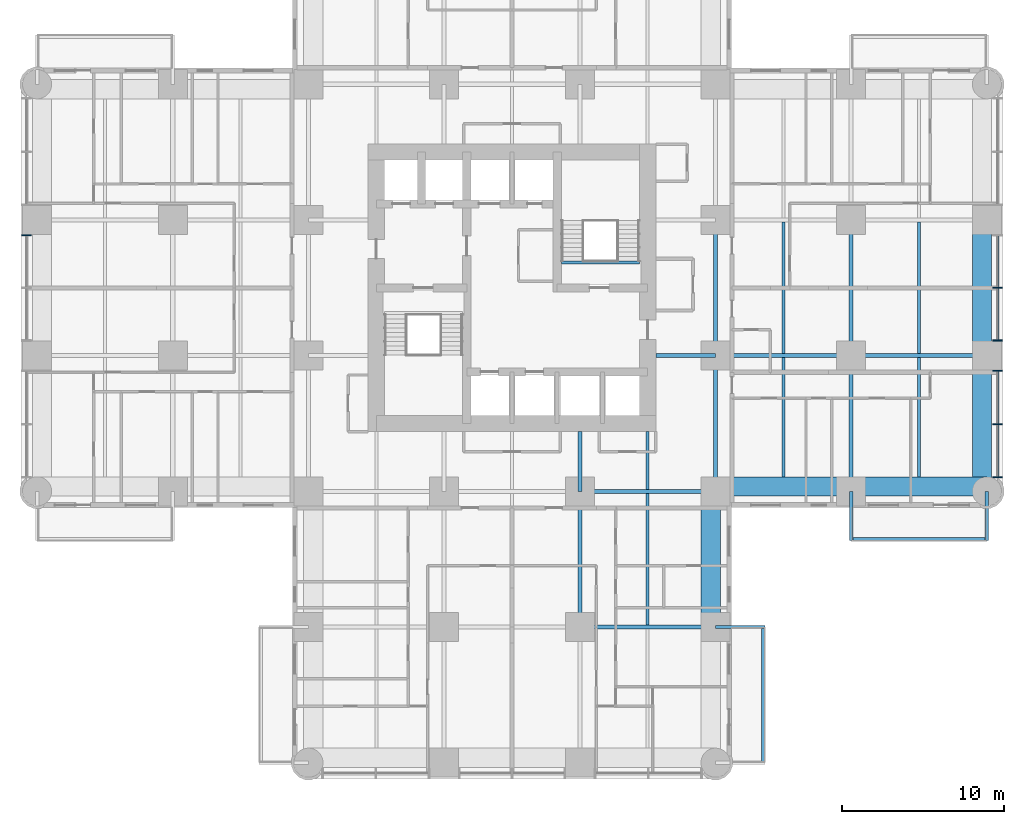
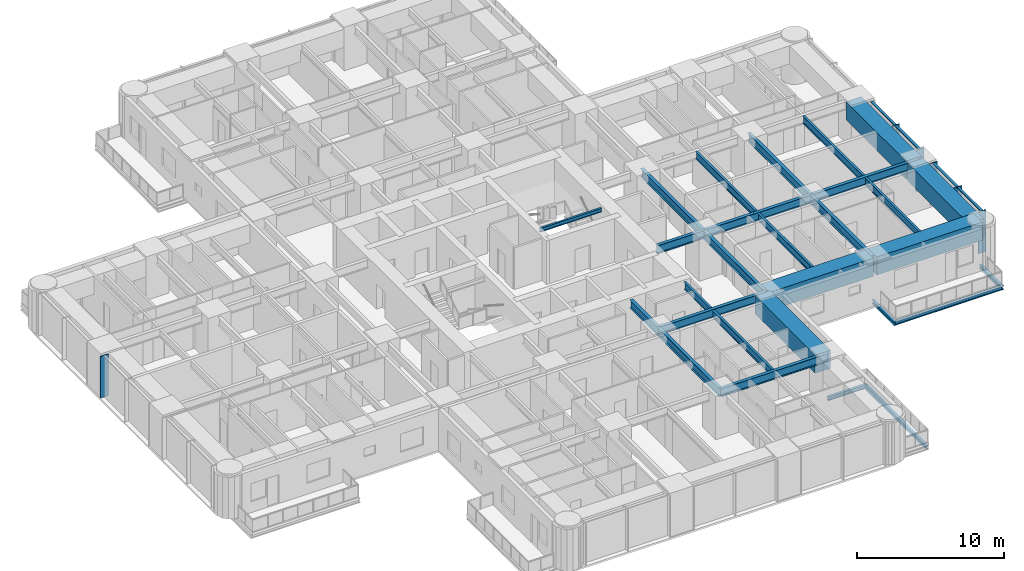
# One storey, part 3 of 17: 28 beams, 10 members, 2 elements without a shape of their own.
"""IFC4 building model written with IfcOpenShell, lengths in metres."""

from ifc_helpers import new_model, si_unit, direction, frame, origin, origin_2d, place, context, subcontext, project, spatial, rectangle, i_section, extrude, material, material_profile, profile_set, type_object, element, aggregate, save


model = new_model("IFC4")

# Units and contexts
model_context = context("Model", 3, precision=1e-05, world=origin(), true_north=direction((0.0, 1.0)))
body_context = subcontext(model_context, "Body", "Model", "MODEL_VIEW")
ifc_project = project(units=[si_unit("LENGTHUNIT", "METRE"), si_unit("AREAUNIT", "SQUARE_METRE"), si_unit("VOLUMEUNIT", "CUBIC_METRE"), si_unit("PLANEANGLEUNIT", "RADIAN"), si_unit("MASSUNIT", "GRAM", prefix="KILO")], contexts=[model_context])

# Site, building, storey
site_placement = place(None, origin())
site = spatial("IfcSite", under=ifc_project, at=site_placement, CompositionType="ELEMENT")
building_placement = place(site_placement, origin())
building = spatial("IfcBuilding", under=site, at=building_placement, Name="Torre Alcanfor", CompositionType="ELEMENT")
storey_placement = place(building_placement, frame((0.0, 0.0, 56.10009765625)))
storey = spatial("IfcBuildingStorey", under=building, at=storey_placement, Name="L13", CompositionType="ELEMENT", Elevation=56.10009765625)

# Beams
ifc_material_1 = material(Name="Steel ASTM A992 Grade 50", Category="steel")
ifc_material_profile_1 = material_profile(ifc_material_1, i_section(OverallWidth=0.205322265625, OverallDepth=0.309814453125, WebThickness=0.00927734375, FlangeThickness=0.016357421875, at=origin_2d()), Name="W12x50")
ifc_profile_set_1 = profile_set([ifc_material_profile_1], Name="Steel ASTM A992 Grade 50")
beam_type_1 = type_object("IfcBeamType", Name="Balcony cantilever beam W12x50", PredefinedType="BEAM", material=ifc_profile_set_1)
for number, where, z_axis, x_axis, name in (
    (1, (50.39990234375, 16.800048828125, -0.35498046875), (0.0, -1.0, 0.0), (1.0, 0.0, 0.0), "Balcony cantilever beam L13-E2 1"),
    (2, (58.800048828125, 16.800048828125, -0.35498046875), (0.0, -1.0, 0.0), (1.0, 0.0, 0.0), "Balcony cantilever beam L13-E2 2"),
    (3, (42.0, 8.39990234375, -0.35498046875), (1.0, 0.0, 0.0), (0.0, 1.0, 0.0), "Balcony cantilever beam L13-S1 1"),
):
    element("IfcBeam", number, at=place(storey_placement, frame(where, z_axis=z_axis, x_axis=x_axis)), inside=storey, type_object=beam_type_1, Name=name, PredefinedType="BEAM", context=body_context, shape_type="SweptSolid", body=[
        extrude(i_section(OverallWidth=0.205322265625, OverallDepth=0.309814453125, WebThickness=0.00927734375, FlangeThickness=0.016357421875, at=origin_2d()), origin(), (0.0, 0.0, 1.0), 3.050048828125),
    ])
ifc_material_2 = material(Name="Steel ASTM A992 Grade 50", Category="steel")
ifc_material_profile_2 = material_profile(ifc_material_2, i_section(OverallWidth=0.203369140625, OverallDepth=0.30224609375, WebThickness=0.007568359375, FlangeThickness=0.01318359375, at=origin_2d()), Name="W12x40")
ifc_profile_set_2 = profile_set([ifc_material_profile_2], Name="Steel ASTM A992 Grade 50")
beam_type_2 = type_object("IfcBeamType", Name="Balcony edge trimmer W12x40", PredefinedType="BEAM", material=ifc_profile_set_2)
beam_1_placement = place(storey_placement, frame((50.39990234375, 13.851806640625, -0.351318359375), z_axis=(1.0, 0.0, 0.0), x_axis=(0.0, 1.0, 0.0)))
element("IfcBeam", 4, at=beam_1_placement, inside=storey, type_object=beam_type_2, Name="Balcony edge trimmer L13-E2", PredefinedType="BEAM", context=body_context, shape_type="SweptSolid", body=[
    extrude(i_section(OverallWidth=0.203369140625, OverallDepth=0.30224609375, WebThickness=0.007568359375, FlangeThickness=0.01318359375, at=origin_2d()), origin(), (0.0, 0.0, 1.0), 8.400146484375),
])
beam_2_placement = place(storey_placement, frame((44.9482421875, 8.39990234375, -0.351318359375), z_axis=(0.0, -1.0, 0.0), x_axis=(1.0, 0.0, 0.0)))
element("IfcBeam", 5, at=beam_2_placement, inside=storey, type_object=beam_type_2, Name="Balcony edge trimmer L13-S1", PredefinedType="BEAM", context=body_context, shape_type="SweptSolid", body=[
    extrude(i_section(OverallWidth=0.203369140625, OverallDepth=0.30224609375, WebThickness=0.007568359375, FlangeThickness=0.01318359375, at=origin_2d()), origin(), (0.0, 0.0, 1.0), 8.39990234375),
])

# Curtain wall, member
ifc_material_3 = material(Name="Aluminium and glass", Category="aluminium")
curtain_wall_type = type_object("IfcCurtainWallType", Name="CW-A unitised apartment glazing with vertical FIN", PredefinedType="NOTDEFINED", material=ifc_material_3)
curtain_wall_1_placement = place(storey_placement, origin())
curtain_wall_1 = element("IfcCurtainWall", 6, at=curtain_wall_1_placement, inside=storey, type_object=curtain_wall_type, Name="Curtain wall CW-A L13 2", PredefinedType="NOTDEFINED")
ifc_material_4 = material(Name="Bronze anodised aluminium", Category="aluminium")
ifc_material_profile_3 = material_profile(ifc_material_4, rectangle(XDim=0.60009765625, YDim=0.06494140625, at=origin_2d()), Name="CW-A mullion 65x600")
ifc_profile_set_3 = profile_set([ifc_material_profile_3], Name="Bronze anodised aluminium")
member_type_1 = type_object("IfcMemberType", Name="CW-A mullion with vertical FIN 65x600", PredefinedType="MULLION", material=ifc_profile_set_3)
member_1_placement = place(storey_placement, frame((-0.64990234375, 32.66259765625, 0.0), z_axis=(0.0, 0.0, 1.0), x_axis=(1.0, 0.0, 0.0)))
member_1 = element("IfcMember", 7, at=member_1_placement, type_object=member_type_1, Name="CW-A mullion 2.1", PredefinedType="MULLION", context=body_context, shape_type="SweptSolid", body=[
    extrude(rectangle(XDim=0.60009765625, YDim=0.06494140625, at=origin_2d()), origin(), (0.0, 0.0, 1.0), 3.449951171875),
])
aggregate(curtain_wall_1, [member_1])

# Curtain wall, members
curtain_wall_2_placement = place(storey_placement, origin())
curtain_wall_2 = element("IfcCurtainWall", 8, at=curtain_wall_2_placement, inside=storey, type_object=curtain_wall_type, Name="Curtain wall CW-A L13 8", PredefinedType="NOTDEFINED")
member_2_placement = place(storey_placement, frame((59.449951171875, 17.6669921875, 0.0), z_axis=(0.0, 0.0, 1.0), x_axis=(-1.0, 0.0, 0.0)))
member_2 = element("IfcMember", 9, at=member_2_placement, type_object=member_type_1, Name="CW-A mullion 1.1", PredefinedType="MULLION", context=body_context, shape_type="SweptSolid", body=[
    extrude(rectangle(XDim=0.60009765625, YDim=0.06494140625, at=origin_2d()), origin(), (0.0, 0.0, 1.0), 3.449951171875),
])
member_3_placement = place(storey_placement, frame((59.449951171875, 20.96484375, 0.0), z_axis=(0.0, 0.0, 1.0), x_axis=(-1.0, 0.0, 0.0)))
member_3 = element("IfcMember", 10, at=member_3_placement, type_object=member_type_1, Name="CW-A mullion 1.2", PredefinedType="MULLION", context=body_context, shape_type="SweptSolid", body=[
    extrude(rectangle(XDim=0.60009765625, YDim=0.06494140625, at=origin_2d()), origin(), (0.0, 0.0, 1.0), 3.449951171875),
])
member_4_placement = place(storey_placement, frame((59.449951171875, 24.262451171875, 0.0), z_axis=(0.0, 0.0, 1.0), x_axis=(-1.0, 0.0, 0.0)))
member_4 = element("IfcMember", 11, at=member_4_placement, type_object=member_type_1, Name="CW-A mullion 1.3", PredefinedType="MULLION", context=body_context, shape_type="SweptSolid", body=[
    extrude(rectangle(XDim=0.60009765625, YDim=0.06494140625, at=origin_2d()), origin(), (0.0, 0.0, 1.0), 3.449951171875),
])
member_5_placement = place(storey_placement, frame((59.449951171875, 26.137451171875, 0.0), z_axis=(0.0, 0.0, 1.0), x_axis=(-1.0, 0.0, 0.0)))
member_5 = element("IfcMember", 12, at=member_5_placement, type_object=member_type_1, Name="CW-A mullion 2.1", PredefinedType="MULLION", context=body_context, shape_type="SweptSolid", body=[
    extrude(rectangle(XDim=0.60009765625, YDim=0.06494140625, at=origin_2d()), origin(), (0.0, 0.0, 1.0), 3.449951171875),
])
member_6_placement = place(storey_placement, frame((59.449951171875, 29.39990234375, 0.0), z_axis=(0.0, 0.0, 1.0), x_axis=(-1.0, 0.0, 0.0)))
member_6 = element("IfcMember", 13, at=member_6_placement, type_object=member_type_1, Name="CW-A mullion 2.2", PredefinedType="MULLION", context=body_context, shape_type="SweptSolid", body=[
    extrude(rectangle(XDim=0.60009765625, YDim=0.06494140625, at=origin_2d()), origin(), (0.0, 0.0, 1.0), 3.449951171875),
])
ifc_material_5 = material(Name="Extruded aluminium", Category="aluminium")
ifc_material_profile_4 = material_profile(ifc_material_5, rectangle(XDim=0.199951171875, YDim=0.06494140625, at=origin_2d()), Name="CW-A transom 200x65")
ifc_profile_set_4 = profile_set([ifc_material_profile_4], Name="Extruded aluminium")
member_type_2 = type_object("IfcMemberType", Name="CW-A transom 65x200", PredefinedType="USERDEFINED", material=ifc_profile_set_4)
member_7_placement = place(storey_placement, frame((59.449951171875, 17.699462890625, 3.41748046875), z_axis=(0.0, 1.0, 0.0), x_axis=(-1.0, 0.0, 0.0)))
member_7 = element("IfcMember", 14, at=member_7_placement, type_object=member_type_2, Name="CW-A transom 1.1.2", ObjectType="TRANSOM", PredefinedType="USERDEFINED", context=body_context, shape_type="SweptSolid", body=[
    extrude(rectangle(XDim=0.199951171875, YDim=0.06494140625, at=origin_2d()), origin(), (0.0, 0.0, 1.0), 3.232666015625),
])
member_8_placement = place(storey_placement, frame((59.449951171875, 20.997314453125, 3.41748046875), z_axis=(0.0, 1.0, 0.0), x_axis=(-1.0, 0.0, 0.0)))
member_8 = element("IfcMember", 15, at=member_8_placement, type_object=member_type_2, Name="CW-A transom 1.2.2", ObjectType="TRANSOM", PredefinedType="USERDEFINED", context=body_context, shape_type="SweptSolid", body=[
    extrude(rectangle(XDim=0.199951171875, YDim=0.06494140625, at=origin_2d()), origin(), (0.0, 0.0, 1.0), 3.232666015625),
])
member_9_placement = place(storey_placement, frame((59.449951171875, 26.169921875, 3.41748046875), z_axis=(0.0, 1.0, 0.0), x_axis=(-1.0, 0.0, 0.0)))
member_9 = element("IfcMember", 16, at=member_9_placement, type_object=member_type_2, Name="CW-A transom 2.1.2", ObjectType="TRANSOM", PredefinedType="USERDEFINED", context=body_context, shape_type="SweptSolid", body=[
    extrude(rectangle(XDim=0.199951171875, YDim=0.06494140625, at=origin_2d()), origin(), (0.0, 0.0, 1.0), 3.197509765625),
])
member_10_placement = place(storey_placement, frame((59.449951171875, 29.4326171875, 3.41748046875), z_axis=(0.0, 1.0, 0.0), x_axis=(-1.0, 0.0, 0.0)))
member_10 = element("IfcMember", 17, at=member_10_placement, type_object=member_type_2, Name="CW-A transom 2.2.2", ObjectType="TRANSOM", PredefinedType="USERDEFINED", context=body_context, shape_type="SweptSolid", body=[
    extrude(rectangle(XDim=0.199951171875, YDim=0.06494140625, at=origin_2d()), origin(), (0.0, 0.0, 1.0), 3.197265625),
])
aggregate(curtain_wall_2, [member_2, member_3, member_4, member_7, member_8, member_5, member_6, member_9, member_10])

# Beams
ifc_material_6 = material(Name="Steel ASTM A992 Grade 50", Category="steel")
ifc_material_profile_5 = material_profile(ifc_material_6, i_section(OverallWidth=0.25390625, OverallDepth=0.683349609375, WebThickness=0.012451171875, FlangeThickness=0.01904296875, at=origin_2d()), Name="W27x94")
ifc_profile_set_5 = profile_set([ifc_material_profile_5], Name="Steel ASTM A992 Grade 50")
beam_type_3 = type_object("IfcBeamType", Name="Girder W27x94", PredefinedType="BEAM", material=ifc_profile_set_5)
for number, where, z_axis, x_axis, name in (
    (18, (33.60009765625, 8.39990234375, 3.108154296875), (1.0, 0.0, 0.0), (0.0, 1.0, 0.0), "Beam 5D-6D under L14"),
    (19, (33.60009765625, 16.800048828125, 3.108154296875), (1.0, 0.0, 0.0), (0.0, 1.0, 0.0), "Beam 5E-6E under L14"),
    (20, (42.0, 25.199951171875, 3.108154296875), (1.0, 0.0, 0.0), (0.0, 1.0, 0.0), "Beam 6F-7F under L14"),
):
    element("IfcBeam", number, at=place(storey_placement, frame(where, z_axis=z_axis, x_axis=x_axis)), inside=storey, type_object=beam_type_3, Name=name, PredefinedType="BEAM", context=body_context, shape_type="SweptSolid", body=[
        extrude(i_section(OverallWidth=0.25390625, OverallDepth=0.683349609375, WebThickness=0.012451171875, FlangeThickness=0.01904296875, at=origin_2d()), origin(), (0.0, 0.0, 1.0), 8.39990234375),
    ])
for number, where, z_axis, x_axis, name in (
    (21, (50.39990234375, 25.199951171875, 3.108154296875), (1.0, 0.0, 0.0), (0.0, 1.0, 0.0), "Beam 7F-8F under L14"),
    (22, (33.60009765625, 8.39990234375, 3.108154296875), (0.0, 1.0, 0.0), (-1.0, 0.0, 0.0), "Beam 5D-5E under L14"),
):
    element("IfcBeam", number, at=place(storey_placement, frame(where, z_axis=z_axis, x_axis=x_axis)), inside=storey, type_object=beam_type_3, Name=name, PredefinedType="BEAM", context=body_context, shape_type="SweptSolid", body=[
        extrude(i_section(OverallWidth=0.25390625, OverallDepth=0.683349609375, WebThickness=0.012451171875, FlangeThickness=0.01904296875, at=origin_2d()), origin(), (0.0, 0.0, 1.0), 8.400146484375),
    ])
beam_3_placement = place(storey_placement, frame((42.0, 16.800048828125, 3.108154296875), z_axis=(0.0, 1.0, 0.0), x_axis=(-1.0, 0.0, 0.0)))
element("IfcBeam", 23, at=beam_3_placement, inside=storey, type_object=beam_type_3, Name="Beam 6E-6F under L14", PredefinedType="BEAM", context=body_context, shape_type="SweptSolid", body=[
    extrude(i_section(OverallWidth=0.25390625, OverallDepth=0.683349609375, WebThickness=0.012451171875, FlangeThickness=0.01904296875, at=origin_2d()), origin(), (0.0, 0.0, 1.0), 8.39990234375),
])
beam_4_placement = place(storey_placement, frame((42.0, 25.199951171875, 3.108154296875), z_axis=(0.0, 1.0, 0.0), x_axis=(-1.0, 0.0, 0.0)))
element("IfcBeam", 24, at=beam_4_placement, inside=storey, type_object=beam_type_3, Name="Beam 6F-6G under L14", PredefinedType="BEAM", context=body_context, shape_type="SweptSolid", body=[
    extrude(i_section(OverallWidth=0.25390625, OverallDepth=0.683349609375, WebThickness=0.012451171875, FlangeThickness=0.01904296875, at=origin_2d()), origin(), (0.0, 0.0, 1.0), 8.400146484375),
])
beam_5_placement = place(storey_placement, frame((50.39990234375, 16.800048828125, 3.108154296875), z_axis=(0.0, 1.0, 0.0), x_axis=(-1.0, 0.0, 0.0)))
element("IfcBeam", 25, at=beam_5_placement, inside=storey, type_object=beam_type_3, Name="Beam 7E-7F under L14", PredefinedType="BEAM", context=body_context, shape_type="SweptSolid", body=[
    extrude(i_section(OverallWidth=0.25390625, OverallDepth=0.683349609375, WebThickness=0.012451171875, FlangeThickness=0.01904296875, at=origin_2d()), origin(), (0.0, 0.0, 1.0), 8.39990234375),
])
beam_6_placement = place(storey_placement, frame((50.39990234375, 25.199951171875, 3.108154296875), z_axis=(0.0, 1.0, 0.0), x_axis=(-1.0, 0.0, 0.0)))
element("IfcBeam", 26, at=beam_6_placement, inside=storey, type_object=beam_type_3, Name="Beam 7F-7G under L14", PredefinedType="BEAM", context=body_context, shape_type="SweptSolid", body=[
    extrude(i_section(OverallWidth=0.25390625, OverallDepth=0.683349609375, WebThickness=0.012451171875, FlangeThickness=0.01904296875, at=origin_2d()), origin(), (0.0, 0.0, 1.0), 8.400146484375),
])
ifc_material_7 = material(Name="Steel ASTM A992 Grade 50", Category="steel")
ifc_material_profile_6 = material_profile(ifc_material_7, i_section(OverallWidth=0.25390625, OverallDepth=0.683349609375, WebThickness=0.012451171875, FlangeThickness=0.01904296875, at=origin_2d()), Name="W27x94")
ifc_profile_set_6 = profile_set([ifc_material_profile_6], Name="Steel ASTM A992 Grade 50")
beam_type_4 = type_object("IfcBeamType", Name="Girder, part bay W27x94", PredefinedType="BEAM", material=ifc_profile_set_6)
for number, where, z_axis, x_axis, name in (
    (27, (33.60009765625, 16.800048828125, 3.108154296875), (0.0, 1.0, 0.0), (-1.0, 0.0, 0.0), "Beam 5E-520_5 under L14"),
    (28, (42.0, 25.199951171875, 3.108154296875), (-1.0, 0.0, 0.0), (0.0, -1.0, 0.0), "Beam 6F-38_3F under L14"),
):
    element("IfcBeam", number, at=place(storey_placement, frame(where, z_axis=z_axis, x_axis=x_axis)), inside=storey, type_object=beam_type_4, Name=name, PredefinedType="BEAM", context=body_context, shape_type="SweptSolid", body=[
        extrude(i_section(OverallWidth=0.25390625, OverallDepth=0.683349609375, WebThickness=0.012451171875, FlangeThickness=0.01904296875, at=origin_2d()), origin(), (0.0, 0.0, 1.0), 3.699951171875),
    ])
ifc_material_8 = material(Name="Concrete f'c 70 MPa", Category="concrete")
ifc_material_profile_7 = material_profile(ifc_material_8, rectangle(XDim=1.199951171875, YDim=1.5, at=origin_2d()), Name="1200x1500")
ifc_profile_set_7 = profile_set([ifc_material_profile_7], Name="Concrete f'c 70 MPa")
beam_type_5 = type_object("IfcBeamType", Name="RC perimeter beam 1200x1500", PredefinedType="BEAM", material=ifc_profile_set_7)
beam_7_placement = place(storey_placement, frame((42.126953125, 17.10009765625, 2.699951171875), z_axis=(1.0, 0.0, 0.0), x_axis=(0.0, 1.0, 0.0)))
element("IfcBeam", 29, at=beam_7_placement, inside=storey, type_object=beam_type_5, Name="Beam 6E-7E under L14", PredefinedType="BEAM", context=body_context, shape_type="SweptSolid", body=[
    extrude(rectangle(XDim=1.199951171875, YDim=1.5, at=origin_2d()), origin(), (0.0, 0.0, 1.0), 8.14599609375),
])
beam_8_placement = place(storey_placement, frame((50.527099609375, 17.10009765625, 2.699951171875), z_axis=(1.0, 0.0, 0.0), x_axis=(0.0, 1.0, 0.0)))
element("IfcBeam", 30, at=beam_8_placement, inside=storey, type_object=beam_type_5, Name="Beam 7E-8E under L14", PredefinedType="BEAM", context=body_context, shape_type="SweptSolid", body=[
    extrude(rectangle(XDim=1.199951171875, YDim=1.5, at=origin_2d()), origin(), (0.0, 0.0, 1.0), 8.27294921875),
])
beam_9_placement = place(storey_placement, frame((41.699951171875, 8.527099609375, 2.699951171875), z_axis=(0.0, 1.0, 0.0), x_axis=(-1.0, 0.0, 0.0)))
element("IfcBeam", 31, at=beam_9_placement, inside=storey, type_object=beam_type_5, Name="Beam 6D-6E under L14", PredefinedType="BEAM", context=body_context, shape_type="SweptSolid", body=[
    extrude(rectangle(XDim=1.199951171875, YDim=1.5, at=origin_2d()), origin(), (0.0, 0.0, 1.0), 8.14599609375),
])
beam_10_placement = place(storey_placement, frame((58.5, 16.800048828125, 2.699951171875), z_axis=(0.0, 1.0, 0.0), x_axis=(-1.0, 0.0, 0.0)))
element("IfcBeam", 32, at=beam_10_placement, inside=storey, type_object=beam_type_5, Name="Beam 8E-8F under L14", PredefinedType="BEAM", context=body_context, shape_type="SweptSolid", body=[
    extrude(rectangle(XDim=1.199951171875, YDim=1.5, at=origin_2d()), origin(), (0.0, 0.0, 1.0), 8.27294921875),
])
beam_11_placement = place(storey_placement, frame((58.5, 25.326904296875, 2.699951171875), z_axis=(0.0, 1.0, 0.0), x_axis=(-1.0, 0.0, 0.0)))
element("IfcBeam", 33, at=beam_11_placement, inside=storey, type_object=beam_type_5, Name="Beam 8F-8G under L14", PredefinedType="BEAM", context=body_context, shape_type="SweptSolid", body=[
    extrude(rectangle(XDim=1.199951171875, YDim=1.5, at=origin_2d()), origin(), (0.0, 0.0, 1.0), 8.14599609375),
])
ifc_material_9 = material(Name="Steel ASTM A992 Grade 50", Category="steel")
ifc_material_profile_8 = material_profile(ifc_material_9, i_section(OverallWidth=0.1787109375, OverallDepth=0.60205078125, WebThickness=0.010986328125, FlangeThickness=0.014892578125, at=origin_2d()), Name="W24x62")
ifc_profile_set_8 = profile_set([ifc_material_profile_8], Name="Steel ASTM A992 Grade 50")
beam_type_6 = type_object("IfcBeamType", Name="Secondary beam W24x62", PredefinedType="BEAM", material=ifc_profile_set_8)
beam_12_placement = place(storey_placement, frame((37.800048828125, 8.527099609375, 3.14892578125), z_axis=(0.0, 1.0, 0.0), x_axis=(-1.0, 0.0, 0.0)))
element("IfcBeam", 34, at=beam_12_placement, inside=storey, type_object=beam_type_6, Name="Beam 37_8D-37_8E under L14", PredefinedType="BEAM", context=body_context, shape_type="SweptSolid", body=[
    extrude(i_section(OverallWidth=0.1787109375, OverallDepth=0.60205078125, WebThickness=0.010986328125, FlangeThickness=0.014892578125, at=origin_2d()), origin(), (0.0, 0.0, 1.0), 8.14599609375),
])
beam_13_placement = place(storey_placement, frame((46.199951171875, 17.699951171875, 3.14892578125), z_axis=(0.0, 1.0, 0.0), x_axis=(-1.0, 0.0, 0.0)))
element("IfcBeam", 35, at=beam_13_placement, inside=storey, type_object=beam_type_6, Name="Beam 46_2E-46_2F under L14", PredefinedType="BEAM", context=body_context, shape_type="SweptSolid", body=[
    extrude(i_section(OverallWidth=0.1787109375, OverallDepth=0.60205078125, WebThickness=0.010986328125, FlangeThickness=0.014892578125, at=origin_2d()), origin(), (0.0, 0.0, 1.0), 7.373046875),
])
beam_14_placement = place(storey_placement, frame((46.199951171875, 25.326904296875, 3.14892578125), z_axis=(0.0, 1.0, 0.0), x_axis=(-1.0, 0.0, 0.0)))
element("IfcBeam", 36, at=beam_14_placement, inside=storey, type_object=beam_type_6, Name="Beam 46_2F-46_2G under L14", PredefinedType="BEAM", context=body_context, shape_type="SweptSolid", body=[
    extrude(i_section(OverallWidth=0.1787109375, OverallDepth=0.60205078125, WebThickness=0.010986328125, FlangeThickness=0.014892578125, at=origin_2d()), origin(), (0.0, 0.0, 1.0), 8.14599609375),
])
beam_15_placement = place(storey_placement, frame((54.60009765625, 17.699951171875, 3.14892578125), z_axis=(0.0, 1.0, 0.0), x_axis=(-1.0, 0.0, 0.0)))
element("IfcBeam", 37, at=beam_15_placement, inside=storey, type_object=beam_type_6, Name="Beam 54_6E-54_6F under L14", PredefinedType="BEAM", context=body_context, shape_type="SweptSolid", body=[
    extrude(i_section(OverallWidth=0.1787109375, OverallDepth=0.60205078125, WebThickness=0.010986328125, FlangeThickness=0.014892578125, at=origin_2d()), origin(), (0.0, 0.0, 1.0), 7.373046875),
])
beam_16_placement = place(storey_placement, frame((54.60009765625, 25.326904296875, 3.14892578125), z_axis=(0.0, 1.0, 0.0), x_axis=(-1.0, 0.0, 0.0)))
element("IfcBeam", 38, at=beam_16_placement, inside=storey, type_object=beam_type_6, Name="Beam 54_6F-54_6G under L14", PredefinedType="BEAM", context=body_context, shape_type="SweptSolid", body=[
    extrude(i_section(OverallWidth=0.1787109375, OverallDepth=0.60205078125, WebThickness=0.010986328125, FlangeThickness=0.014892578125, at=origin_2d()), origin(), (0.0, 0.0, 1.0), 8.14599609375),
])
ifc_material_10 = material(Name="Steel ASTM A992 Grade 50", Category="steel")
ifc_material_profile_9 = material_profile(ifc_material_10, i_section(OverallWidth=0.1787109375, OverallDepth=0.60205078125, WebThickness=0.010986328125, FlangeThickness=0.014892578125, at=origin_2d()), Name="W24x62")
ifc_profile_set_9 = profile_set([ifc_material_profile_9], Name="Steel ASTM A992 Grade 50")
beam_type_7 = type_object("IfcBeamType", Name="Secondary beam, part bay W24x62", PredefinedType="BEAM", material=ifc_profile_set_9)
beam_17_placement = place(storey_placement, frame((37.800048828125, 16.927001953125, 3.14892578125), z_axis=(0.0, 1.0, 0.0), x_axis=(-1.0, 0.0, 0.0)))
element("IfcBeam", 39, at=beam_17_placement, inside=storey, type_object=beam_type_7, Name="Beam 37_8E-37_820_5 under L14", PredefinedType="BEAM", context=body_context, shape_type="SweptSolid", body=[
    extrude(i_section(OverallWidth=0.1787109375, OverallDepth=0.60205078125, WebThickness=0.010986328125, FlangeThickness=0.014892578125, at=origin_2d()), origin(), (0.0, 0.0, 1.0), 3.572998046875),
])
ifc_material_11 = material(Name="Steel ASTM A992 Grade 50", Category="steel")
ifc_material_profile_10 = material_profile(ifc_material_11, i_section(OverallWidth=0.164794921875, OverallDepth=0.309814453125, WebThickness=0.005859375, FlangeThickness=0.009765625, at=origin_2d()), Name="W12x26")
ifc_profile_set_10 = profile_set([ifc_material_profile_10], Name="Steel ASTM A992 Grade 50")
beam_type_8 = type_object("IfcBeamType", Name="Stair landing beam W12x26", PredefinedType="BEAM", material=ifc_profile_set_10)
beam_18_placement = place(storey_placement, frame((32.449951171875, 30.962646484375, 3.244873046875), z_axis=(1.0, 0.0, 0.0), x_axis=(0.0, 1.0, 0.0)))
element("IfcBeam", 40, at=beam_18_placement, inside=storey, type_object=beam_type_8, Name="Landing trimmer S2 L14", PredefinedType="BEAM", context=body_context, shape_type="SweptSolid", body=[
    extrude(i_section(OverallWidth=0.164794921875, OverallDepth=0.309814453125, WebThickness=0.005859375, FlangeThickness=0.009765625, at=origin_2d()), origin(), (0.0, 0.0, 1.0), 4.85009765625),
])

save(model, "model.ifc")
